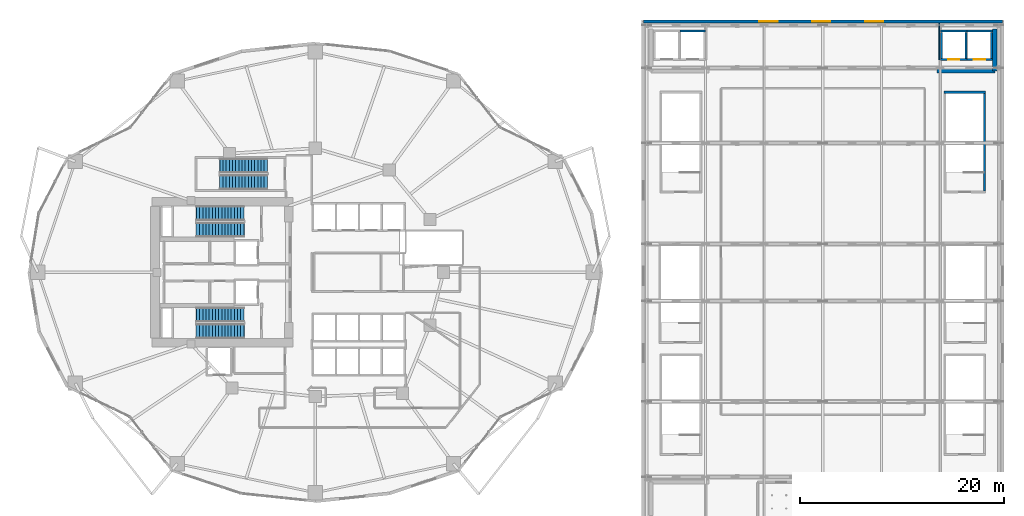
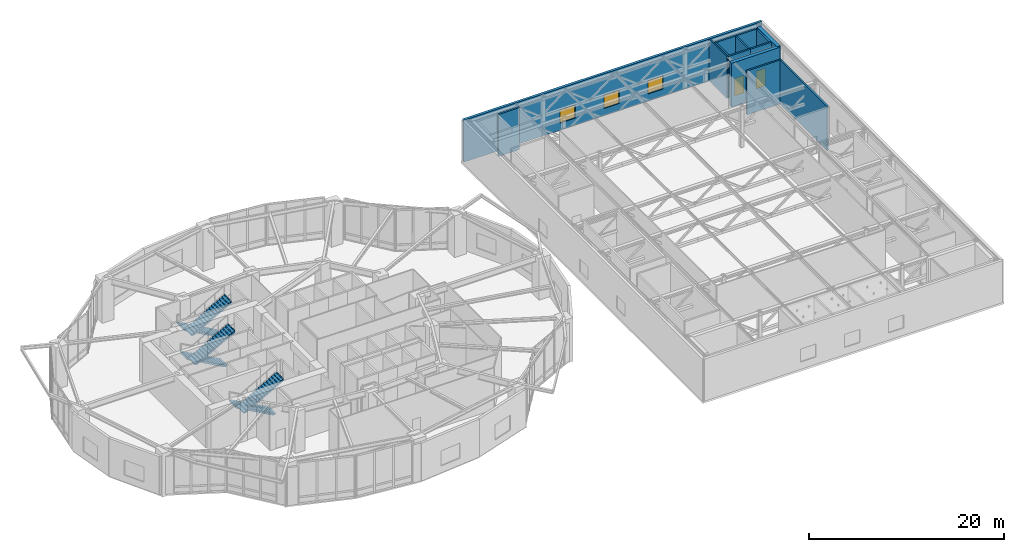
# One storey, part 26 of 29: 14 walls, 6 stair flights, 3 windows, 2 doors, 5 openings, 3 elements without a shape of their own.
"""IFC4 building model written with IfcOpenShell, lengths in metres."""

from ifc_helpers import new_model, si_unit, direction, frame, frame_2d, origin, place, context, subcontext, project, spatial, polyline, rectangle, outline, extrude, material, layer, layer_set, type_object, element, fill, aggregate, save


model = new_model("IFC4")

# Units and contexts
model_context = context("Model", 3, precision=1e-05, world=origin(), true_north=direction((0.0, 1.0)))
body_context = subcontext(model_context, "Body", "Model", "MODEL_VIEW")
ifc_project = project(units=[si_unit("LENGTHUNIT", "METRE"), si_unit("AREAUNIT", "SQUARE_METRE"), si_unit("VOLUMEUNIT", "CUBIC_METRE"), si_unit("PLANEANGLEUNIT", "RADIAN"), si_unit("MASSUNIT", "GRAM", prefix="KILO")], contexts=[model_context])

# Site, building, storey
site_placement = place(None, origin())
site = spatial("IfcSite", under=ifc_project, at=site_placement, CompositionType="ELEMENT")
building_placement = place(site_placement, origin())
building = spatial("IfcBuilding", under=site, at=building_placement, Name="Kolvaren Gate Tower and Convention Centre", CompositionType="ELEMENT")
storey_placement = place(building_placement, frame((0.0, 0.0, 21.0)))
storey = spatial("IfcBuildingStorey", under=building, at=storey_placement, Name="L04", CompositionType="ELEMENT", Elevation=21.0)

# Walls
ifc_material_1 = material(Name="Fire-Rated Acoustic Gypsum Stud Partition", Category="gypsum")
ifc_layer_1 = layer(ifc_material_1, 0.1201171875)
ifc_layer_set_1 = layer_set([ifc_layer_1], Name="Fire-Rated Acoustic Gypsum Stud Partition")
wall_type_1 = type_object("IfcWallType", Name="ARCH-WL-PART-120", PredefinedType="PARTITIONING", material=ifc_layer_set_1)
wall_1_placement = place(storey_placement, frame((91.449951171875, 47.89990234375, 0.0), z_axis=(0.0, 0.0, 1.0), x_axis=(0.0, 1.0, 0.0)))
element("IfcWall", 1, at=wall_1_placement, inside=storey, type_object=wall_type_1, Name="Interior Partition WL-L04-INT-050", PredefinedType="PARTITIONING", context=body_context, shape_type="SweptSolid", body=[
    extrude(rectangle(XDim=3.59814453125, YDim=0.1201171875, at=frame_2d((1.799072265625, 0.0))), origin(), (0.0, 0.0, 1.0), 5.25),
])
ifc_material_2 = material(Name="Autoclaved Aerated Masonry Blockwork Class 4 (4.0 MPa)", Category="masonry")
ifc_layer_2 = layer(ifc_material_2, 0.199951171875)
ifc_layer_set_2 = layer_set([ifc_layer_2], Name="Autoclaved Aerated Masonry Blockwork Class 4 (4.0 MPa)")
wall_type_2 = type_object("IfcWallType", Name="ARCH-WL-SHAFT-200", PredefinedType="SOLIDWALL", material=ifc_layer_set_2)
wall_2_placement = place(storey_placement, frame((65.949951171875, 50.699951171875, 0.0), z_axis=(0.0, 0.0, 1.0), x_axis=(1.0, 0.0, 0.0)))
element("IfcWall", 2, at=wall_2_placement, inside=storey, type_object=wall_type_2, Name="Elevator CL-02 L04 Fire Shaft Wall N", PredefinedType="SOLIDWALL", context=body_context, shape_type="SweptSolid", body=[
    extrude(rectangle(XDim=2.5, YDim=0.199951171875, at=frame_2d((1.25, 0.0))), origin(), (0.0, 0.0, 1.0), 5.25),
])
wall_3_placement = place(storey_placement, frame((91.550048828125, 50.699951171875, 0.0), z_axis=(0.0, 0.0, 1.0), x_axis=(1.0, 0.0, 0.0)))
element("IfcWall", 3, at=wall_3_placement, inside=storey, type_object=wall_type_2, Name="Elevator CL-03 L04 Fire Shaft Wall N", PredefinedType="SOLIDWALL", context=body_context, shape_type="SweptSolid", body=[
    extrude(rectangle(XDim=2.599853515625, YDim=0.199951171875, at=frame_2d((1.2998046875, 0.0))), origin(), (0.0, 0.0, 1.0), 5.25),
])

# Wall, opening, door
wall_4_placement = place(storey_placement, frame((91.550048828125, 47.89990234375, 0.0), z_axis=(0.0, 0.0, 1.0), x_axis=(1.0, 0.0, 0.0)))
wall_4 = element("IfcWall", 4, at=wall_4_placement, inside=storey, type_object=wall_type_2, Name="Elevator CL-03 L04 Fire Shaft Wall S", PredefinedType="SOLIDWALL", context=body_context, shape_type="SweptSolid", body=[
    extrude(rectangle(XDim=2.599853515625, YDim=0.199951171875, at=frame_2d((1.2998046875, 0.0))), origin(), (0.0, 0.0, 1.0), 5.25),
])
opening_1_placement = place(wall_4_placement, frame((0.75, 0.0, 0.0)))
opening_1 = element("IfcOpeningElement", 5, at=opening_1_placement, cuts=wall_4, Name="Opening LD", PredefinedType="OPENING", context=body_context, shape_type="SweptSolid", body=[
    extrude(rectangle(XDim=1.10009765625, YDim=2.199951171875, at=frame_2d((0.550048828125, 1.10009765625))), frame((0.0, 0.10986328125, 0.0), z_axis=(0.0, -1.0, 0.0), x_axis=(1.0, 0.0, 0.0)), (0.0, 0.0, 1.0), 0.219970703125),
])
ifc_material_3 = material(Name="Brushed Stainless Steel Grade 316L", Category="steel")
door_type = type_object("IfcDoorType", Name="ARCH-DR-LIFT-1100", OperationType="SLIDING_TO_LEFT", PredefinedType="DOOR", material=ifc_material_3)
door_1_placement = place(opening_1_placement, origin())
door_1 = element("IfcDoor", 6, at=door_1_placement, inside=storey, type_object=door_type, Name="Elevator CL-03 L04 Sliding Landing Door", OperationType="SLIDING_TO_LEFT", OverallHeight=2.199951171875, OverallWidth=1.10009765625, PredefinedType="DOOR", context=body_context, shape_type="SweptSolid", body=[
    extrude(rectangle(XDim=1.10009765625, YDim=2.199951171875, at=frame_2d((0.550048828125, 1.10009765625))), frame((0.0, 0.02490234375, 0.0), z_axis=(0.0, -1.0, 0.0), x_axis=(1.0, 0.0, 0.0)), (0.0, 0.0, 1.0), 0.050048828125),
])
fill(opening_1, door_1)

# Walls
for number, where, z_axis, x_axis, name in (
    (7, (91.64990234375, 48.010009765625, 0.0), (0.0, 0.0, 1.0), (0.0, 1.0, 0.0), "Elevator CL-03 L04 Fire Shaft Wall W"),
    (8, (94.050048828125, 48.010009765625, 0.0), (0.0, 0.0, 1.0), (0.0, 1.0, 0.0), "Elevator CL-03 L04 Fire Shaft Wall E"),
):
    element("IfcWall", number, at=place(storey_placement, frame(where, z_axis=z_axis, x_axis=x_axis)), inside=storey, type_object=wall_type_2, Name=name, PredefinedType="SOLIDWALL", context=body_context, shape_type="SweptSolid", body=[
        extrude(rectangle(XDim=2.580078125, YDim=0.199951171875, at=frame_2d((1.2900390625, 0.0))), origin(), (0.0, 0.0, 1.0), 5.25),
    ])
wall_5_placement = place(storey_placement, frame((94.14990234375, 50.699951171875, 0.0), z_axis=(0.0, 0.0, 1.0), x_axis=(1.0, 0.0, 0.0)))
element("IfcWall", 9, at=wall_5_placement, inside=storey, type_object=wall_type_2, Name="Elevator CL-04 L04 Fire Shaft Wall N", PredefinedType="SOLIDWALL", context=body_context, shape_type="SweptSolid", body=[
    extrude(rectangle(XDim=2.5, YDim=0.199951171875, at=frame_2d((1.25, 0.0))), origin(), (0.0, 0.0, 1.0), 5.25),
])

# Wall, opening, door
wall_6_placement = place(storey_placement, frame((94.14990234375, 47.89990234375, 0.0), z_axis=(0.0, 0.0, 1.0), x_axis=(1.0, 0.0, 0.0)))
wall_6 = element("IfcWall", 10, at=wall_6_placement, inside=storey, type_object=wall_type_2, Name="Elevator CL-04 L04 Fire Shaft Wall S", PredefinedType="SOLIDWALL", context=body_context, shape_type="SweptSolid", body=[
    extrude(rectangle(XDim=2.5, YDim=0.199951171875, at=frame_2d((1.25, 0.0))), origin(), (0.0, 0.0, 1.0), 5.25),
])
opening_2_placement = place(wall_6_placement, frame((0.699951171875, 0.0, 0.0)))
opening_2 = element("IfcOpeningElement", 11, at=opening_2_placement, cuts=wall_6, Name="Opening LD", PredefinedType="OPENING", context=body_context, shape_type="SweptSolid", body=[
    extrude(rectangle(XDim=1.10009765625, YDim=2.199951171875, at=frame_2d((0.550048828125, 1.10009765625))), frame((0.0, 0.10986328125, 0.0), z_axis=(0.0, -1.0, 0.0), x_axis=(1.0, 0.0, 0.0)), (0.0, 0.0, 1.0), 0.219970703125),
])
door_2_placement = place(opening_2_placement, origin())
door_2 = element("IfcDoor", 12, at=door_2_placement, inside=storey, type_object=door_type, Name="Elevator CL-04 L04 Sliding Landing Door", OperationType="SLIDING_TO_LEFT", OverallHeight=2.199951171875, OverallWidth=1.10009765625, PredefinedType="DOOR", context=body_context, shape_type="SweptSolid", body=[
    extrude(rectangle(XDim=1.10009765625, YDim=2.199951171875, at=frame_2d((0.550048828125, 1.10009765625))), frame((0.0, 0.02490234375, 0.0), z_axis=(0.0, -1.0, 0.0), x_axis=(1.0, 0.0, 0.0)), (0.0, 0.0, 1.0), 0.050048828125),
])
fill(opening_2, door_2)

# Wall
wall_7_placement = place(storey_placement, frame((96.550048828125, 48.010009765625, 0.0), z_axis=(0.0, 0.0, 1.0), x_axis=(0.0, 1.0, 0.0)))
element("IfcWall", 13, at=wall_7_placement, inside=storey, type_object=wall_type_2, Name="Elevator CL-04 L04 Fire Shaft Wall E", PredefinedType="SOLIDWALL", context=body_context, shape_type="SweptSolid", body=[
    extrude(rectangle(XDim=2.580078125, YDim=0.199951171875, at=frame_2d((1.2900390625, 0.0))), origin(), (0.0, 0.0, 1.0), 5.25),
])

# Wall, openings, windows
ifc_material_4 = material(Name="Piedmont Cream Honed Limestone Cladding", Category="masonry")
ifc_layer_3 = layer(ifc_material_4, 0.300048828125)
ifc_layer_set_3 = layer_set([ifc_layer_3], Name="Piedmont Cream Honed Limestone Cladding")
wall_type_3 = type_object("IfcWallType", Name="ARCH-WL-STONE-300", PredefinedType="SOLIDWALL", material=ifc_layer_set_3)
wall_8_placement = place(storey_placement, frame((62.35009765625, 51.64990234375, 0.0), z_axis=(0.0, 0.0, 1.0), x_axis=(1.0, 0.0, 0.0)))
wall_8 = element("IfcWall", 14, at=wall_8_placement, inside=storey, type_object=wall_type_3, Name="Convention Centre L04 N Stone Facade Wall", PredefinedType="SOLIDWALL", context=body_context, shape_type="SweptSolid", body=[
    extrude(rectangle(XDim=35.2998046875, YDim=0.300048828125, at=frame_2d((17.64990234375, 0.0))), origin(), (0.0, 0.0, 1.0), 5.25),
])
opening_3_placement = place(wall_8_placement, frame((11.39990234375, 0.0, 0.89990234375)))
opening_3 = element("IfcOpeningElement", 15, at=opening_3_placement, cuts=wall_8, Name="Opening W-05", PredefinedType="OPENING", context=body_context, shape_type="SweptSolid", body=[
    extrude(rectangle(XDim=1.800048828125, YDim=1.64990234375, at=frame_2d((0.89990234375, 0.824951171875))), frame((0.0, 0.159912109375, 0.0), z_axis=(0.0, -1.0, 0.0), x_axis=(1.0, 0.0, 0.0)), (0.0, 0.0, 1.0), 0.320068359375),
])
opening_4_placement = place(wall_8_placement, frame((16.60009765625, 0.0, 0.89990234375)))
opening_4 = element("IfcOpeningElement", 16, at=opening_4_placement, cuts=wall_8, Name="Opening W-05", PredefinedType="OPENING", context=body_context, shape_type="SweptSolid", body=[
    extrude(rectangle(XDim=1.800048828125, YDim=1.64990234375, at=frame_2d((0.89990234375, 0.824951171875))), frame((0.0, 0.159912109375, 0.0), z_axis=(0.0, -1.0, 0.0), x_axis=(1.0, 0.0, 0.0)), (0.0, 0.0, 1.0), 0.320068359375),
])
opening_5_placement = place(wall_8_placement, frame((21.800048828125, 0.0, 0.89990234375)))
opening_5 = element("IfcOpeningElement", 17, at=opening_5_placement, cuts=wall_8, Name="Opening W-05", PredefinedType="OPENING", context=body_context, shape_type="SweptSolid", body=[
    extrude(rectangle(XDim=1.800048828125, YDim=1.64990234375, at=frame_2d((0.89990234375, 0.824951171875))), frame((0.0, 0.159912109375, 0.0), z_axis=(0.0, -1.0, 0.0), x_axis=(1.0, 0.0, 0.0)), (0.0, 0.0, 1.0), 0.320068359375),
])
ifc_material_5 = material(Name="Low-E Triple Insulated Glazing Unit 44 mm", Category="glass")
window_type = type_object("IfcWindowType", Name="ARCH-WN-CONV-1800", PartitioningType="SINGLE_PANEL", PredefinedType="WINDOW", material=ifc_material_5)
window_1_placement = place(opening_3_placement, origin())
window_1 = element("IfcWindow", 18, at=window_1_placement, inside=storey, type_object=window_type, Name="Convention L04 N Clerestory Window CW-1", OverallHeight=1.64990234375, OverallWidth=1.800048828125, PartitioningType="SINGLE_PANEL", PredefinedType="WINDOW", context=body_context, shape_type="SweptSolid", body=[
    extrude(rectangle(XDim=1.800048828125, YDim=1.64990234375, at=frame_2d((0.89990234375, 0.824951171875))), frame((0.0, 0.030029296875, 0.0), z_axis=(0.0, -1.0, 0.0), x_axis=(1.0, 0.0, 0.0)), (0.0, 0.0, 1.0), 0.06005859375),
])
fill(opening_3, window_1)
window_2_placement = place(opening_4_placement, origin())
window_2 = element("IfcWindow", 19, at=window_2_placement, inside=storey, type_object=window_type, Name="Convention L04 N Clerestory Window CW-2", OverallHeight=1.64990234375, OverallWidth=1.800048828125, PartitioningType="SINGLE_PANEL", PredefinedType="WINDOW", context=body_context, shape_type="SweptSolid", body=[
    extrude(rectangle(XDim=1.800048828125, YDim=1.64990234375, at=frame_2d((0.89990234375, 0.824951171875))), frame((0.0, 0.030029296875, 0.0), z_axis=(0.0, -1.0, 0.0), x_axis=(1.0, 0.0, 0.0)), (0.0, 0.0, 1.0), 0.06005859375),
])
fill(opening_4, window_2)
window_3_placement = place(opening_5_placement, origin())
window_3 = element("IfcWindow", 20, at=window_3_placement, inside=storey, type_object=window_type, Name="Convention L04 N Clerestory Window CW-3", OverallHeight=1.64990234375, OverallWidth=1.800048828125, PartitioningType="SINGLE_PANEL", PredefinedType="WINDOW", context=body_context, shape_type="SweptSolid", body=[
    extrude(rectangle(XDim=1.800048828125, YDim=1.64990234375, at=frame_2d((0.89990234375, 0.824951171875))), frame((0.0, 0.030029296875, 0.0), z_axis=(0.0, -1.0, 0.0), x_axis=(1.0, 0.0, 0.0)), (0.0, 0.0, 1.0), 0.06005859375),
])
fill(opening_5, window_3)

# Walls
ifc_material_6 = material(Name="Concrete C50/60", Category="concrete")
ifc_layer_4 = layer(ifc_material_6, 0.419921875)
ifc_layer_set_4 = layer_set([ifc_layer_4], Name="Concrete C50/60")
wall_type_4 = type_object("IfcWallType", Name="STR-WL-CONV-420", PredefinedType="SHEAR", material=ifc_layer_set_4)
wall_9_placement = place(storey_placement, frame((96.89990234375, 46.800048828125, -0.239990234375), z_axis=(0.0, 0.0, 1.0), x_axis=(0.0, 1.0, 0.0)))
element("IfcWall", 21, at=wall_9_placement, inside=storey, type_object=wall_type_4, Name="Convention L04 Shear Core Wall CCNE-E", PredefinedType="SHEAR", context=body_context, shape_type="SweptSolid", body=[
    extrude(rectangle(XDim=4.099853515625, YDim=0.419921875, at=frame_2d((2.0498046875, 0.0))), origin(), (0.0, 0.0, 1.0), 5.489990234375),
])
wall_10_placement = place(storey_placement, frame((91.199951171875, 46.800048828125, -0.239990234375), z_axis=(0.0, 0.0, 1.0), x_axis=(1.0, 0.0, 0.0)))
element("IfcWall", 22, at=wall_10_placement, inside=storey, type_object=wall_type_4, Name="Convention L04 Shear Core Wall CCNE-S", PredefinedType="SHEAR", context=body_context, shape_type="SweptSolid", body=[
    extrude(rectangle(XDim=5.699951171875, YDim=0.419921875, at=frame_2d((2.85009765625, 0.0))), origin(), (0.0, 0.0, 1.0), 5.489990234375),
])
ifc_layer_5 = layer(ifc_material_6, 0.199951171875)
ifc_layer_set_5 = layer_set([ifc_layer_5], Name="Concrete C50/60")
wall_type_5 = type_object("IfcWallType", Name="STR-WL-SHAFT-200", PredefinedType="SHEAR", material=ifc_layer_set_5)
wall_11_placement = place(storey_placement, frame((91.89990234375, 44.699951171875, -0.239990234375), z_axis=(0.0, 0.0, 1.0), x_axis=(1.0, 0.0, 0.0)))
element("IfcWall", 23, at=wall_11_placement, inside=storey, type_object=wall_type_5, Name="Convention NE Exit Stair ST-C3 L04 Structural Shear Enclosure Wall FAR", PredefinedType="SHEAR", context=body_context, shape_type="SweptSolid", body=[
    extrude(rectangle(XDim=4.10009765625, YDim=0.199951171875, at=frame_2d((2.050048828125, 0.0))), origin(), (0.0, 0.0, 1.0), 5.489990234375),
])
wall_12_placement = place(storey_placement, frame((95.89990234375, 35.001953125, -0.239990234375), z_axis=(0.0, 0.0, 1.0), x_axis=(0.0, 1.0, 0.0)))
element("IfcWall", 24, at=wall_12_placement, inside=storey, type_object=wall_type_5, Name="Convention NE Exit Stair ST-C3 L04 Structural Shear Enclosure Wall EAST", PredefinedType="SHEAR", context=body_context, shape_type="SweptSolid", body=[
    extrude(rectangle(XDim=9.595947265625, YDim=0.199951171875, at=frame_2d((4.7978515625, 0.0))), origin(), (0.0, 0.0, 1.0), 5.489990234375),
])

# Stair, stair flights
stair_type = type_object("IfcStairType", Name="STR-STAIR-CORE", PredefinedType="HALF_TURN_STAIR", material=ifc_material_6)
stair_1_placement = place(storey_placement, origin())
stair_1 = element("IfcStair", 25, at=stair_1_placement, inside=storey, type_object=stair_type, Name="L04 Tower North Exit Stair ST-T1", PredefinedType="HALF_TURN_STAIR")
stair_flight_type = type_object("IfcStairFlightType", Name="STR-SFL-1420", PredefinedType="STRAIGHT", material=ifc_material_6)
stair_flight_1_placement = place(storey_placement, frame((23.10009765625, 32.7900390625, 0.0), z_axis=(0.0, 0.0, 1.0), x_axis=(-1.0, 0.0, 0.0)))
stair_flight_1 = element("IfcStairFlight", 26, at=stair_flight_1_placement, type_object=stair_flight_type, Name="ST-T1 flight 1", NumberOfRisers=16, NumberOfTreads=15, PredefinedType="STRAIGHT", RiserHeight=0.171875, TreadLength=0.31, context=body_context, shape_type="SweptSolid", body=[
    extrude(outline(polyline([(-0.034912109375, 0.0), (-0.034912109375, 0.171875), (0.31005859375, 0.171875), (0.31005859375, 0.34375), (0.6201171875, 0.34375), (0.6201171875, 0.515625), (0.929931640625, 0.515625), (0.929931640625, 0.6875), (1.239990234375, 0.6875), (1.239990234375, 0.859375), (1.550048828125, 0.859375), (1.550048828125, 1.03125), (1.860107421875, 1.03125), (1.860107421875, 1.203125), (2.169921875, 1.203125), (2.169921875, 1.375), (2.47998046875, 1.375), (2.47998046875, 1.546875), (2.7900390625, 1.546875), (2.7900390625, 1.71875), (3.10009765625, 1.71875), (3.10009765625, 1.890625), (3.409912109375, 1.890625), (3.409912109375, 2.0625), (3.719970703125, 2.0625), (3.719970703125, 2.234375), (4.030029296875, 2.234375), (4.030029296875, 2.40625), (4.340087890625, 2.40625), (4.340087890625, 2.578125), (4.64990234375, 2.578125), (4.64990234375, 2.75), (4.695068359375, 2.75), (4.695068359375, 2.590087890625), (4.64990234375, 2.40673828125), (0.30908203125, 0.0), (-0.034912109375, 0.0)])), frame((0.0, 0.7099609375, 0.0), z_axis=(0.0, -1.0, 0.0), x_axis=(1.0, 0.0, 0.0)), (0.0, 0.0, 1.0), 1.419921875),
])
stair_flight_2_placement = place(storey_placement, frame((18.449951171875, 31.169921875, 2.75), z_axis=(0.0, 0.0, 1.0), x_axis=(1.0, 0.0, 0.0)))
stair_flight_2 = element("IfcStairFlight", 27, at=stair_flight_2_placement, type_object=stair_flight_type, Name="ST-T1 flight 2", NumberOfRisers=16, NumberOfTreads=15, PredefinedType="STRAIGHT", RiserHeight=0.171875, TreadLength=0.31, context=body_context, shape_type="SweptSolid", body=[
    extrude(outline(polyline([(-0.034912109375, 0.0), (-0.034912109375, 0.171875), (0.31005859375, 0.171875), (0.31005859375, 0.34375), (0.6201171875, 0.34375), (0.6201171875, 0.515625), (0.929931640625, 0.515625), (0.929931640625, 0.6875), (1.239990234375, 0.6875), (1.239990234375, 0.859375), (1.550048828125, 0.859375), (1.550048828125, 1.03125), (1.860107421875, 1.03125), (1.860107421875, 1.203125), (2.169921875, 1.203125), (2.169921875, 1.375), (2.47998046875, 1.375), (2.47998046875, 1.546875), (2.7900390625, 1.546875), (2.7900390625, 1.71875), (3.10009765625, 1.71875), (3.10009765625, 1.890625), (3.409912109375, 1.890625), (3.409912109375, 2.0625), (3.719970703125, 2.0625), (3.719970703125, 2.234375), (4.030029296875, 2.234375), (4.030029296875, 2.40625), (4.340087890625, 2.40625), (4.340087890625, 2.578125), (4.64990234375, 2.578125), (4.64990234375, 2.75), (4.695068359375, 2.75), (4.695068359375, 2.590087890625), (4.64990234375, 2.40673828125), (0.30908203125, 0.0), (-0.034912109375, 0.0)])), frame((0.0, 0.7099609375, 0.0), z_axis=(0.0, -1.0, 0.0), x_axis=(1.0, 0.0, 0.0)), (0.0, 0.0, 1.0), 1.419921875),
])
aggregate(stair_1, [stair_flight_1, stair_flight_2])

stair_2_placement = place(storey_placement, origin())
stair_2 = element("IfcStair", 28, at=stair_2_placement, inside=storey, type_object=stair_type, Name="L04 Tower South Exit Stair ST-T2", PredefinedType="HALF_TURN_STAIR")
stair_flight_3_placement = place(storey_placement, frame((23.10009765625, 22.830078125, 0.0), z_axis=(0.0, 0.0, 1.0), x_axis=(-1.0, 0.0, 0.0)))
stair_flight_3 = element("IfcStairFlight", 29, at=stair_flight_3_placement, type_object=stair_flight_type, Name="ST-T2 flight 1", NumberOfRisers=16, NumberOfTreads=15, PredefinedType="STRAIGHT", RiserHeight=0.171875, TreadLength=0.31, context=body_context, shape_type="SweptSolid", body=[
    extrude(outline(polyline([(-0.034912109375, 0.0), (-0.034912109375, 0.171875), (0.31005859375, 0.171875), (0.31005859375, 0.34375), (0.6201171875, 0.34375), (0.6201171875, 0.515625), (0.929931640625, 0.515625), (0.929931640625, 0.6875), (1.239990234375, 0.6875), (1.239990234375, 0.859375), (1.550048828125, 0.859375), (1.550048828125, 1.03125), (1.860107421875, 1.03125), (1.860107421875, 1.203125), (2.169921875, 1.203125), (2.169921875, 1.375), (2.47998046875, 1.375), (2.47998046875, 1.546875), (2.7900390625, 1.546875), (2.7900390625, 1.71875), (3.10009765625, 1.71875), (3.10009765625, 1.890625), (3.409912109375, 1.890625), (3.409912109375, 2.0625), (3.719970703125, 2.0625), (3.719970703125, 2.234375), (4.030029296875, 2.234375), (4.030029296875, 2.40625), (4.340087890625, 2.40625), (4.340087890625, 2.578125), (4.64990234375, 2.578125), (4.64990234375, 2.75), (4.695068359375, 2.75), (4.695068359375, 2.590087890625), (4.64990234375, 2.40673828125), (0.30908203125, 0.0), (-0.034912109375, 0.0)])), frame((0.0, 0.7099609375, 0.0), z_axis=(0.0, -1.0, 0.0), x_axis=(1.0, 0.0, 0.0)), (0.0, 0.0, 1.0), 1.419921875),
])
stair_flight_4_placement = place(storey_placement, frame((18.449951171875, 21.2099609375, 2.75), z_axis=(0.0, 0.0, 1.0), x_axis=(1.0, 0.0, 0.0)))
stair_flight_4 = element("IfcStairFlight", 30, at=stair_flight_4_placement, type_object=stair_flight_type, Name="ST-T2 flight 2", NumberOfRisers=16, NumberOfTreads=15, PredefinedType="STRAIGHT", RiserHeight=0.171875, TreadLength=0.31, context=body_context, shape_type="SweptSolid", body=[
    extrude(outline(polyline([(-0.034912109375, 0.0), (-0.034912109375, 0.171875), (0.31005859375, 0.171875), (0.31005859375, 0.34375), (0.6201171875, 0.34375), (0.6201171875, 0.515625), (0.929931640625, 0.515625), (0.929931640625, 0.6875), (1.239990234375, 0.6875), (1.239990234375, 0.859375), (1.550048828125, 0.859375), (1.550048828125, 1.03125), (1.860107421875, 1.03125), (1.860107421875, 1.203125), (2.169921875, 1.203125), (2.169921875, 1.375), (2.47998046875, 1.375), (2.47998046875, 1.546875), (2.7900390625, 1.546875), (2.7900390625, 1.71875), (3.10009765625, 1.71875), (3.10009765625, 1.890625), (3.409912109375, 1.890625), (3.409912109375, 2.0625), (3.719970703125, 2.0625), (3.719970703125, 2.234375), (4.030029296875, 2.234375), (4.030029296875, 2.40625), (4.340087890625, 2.40625), (4.340087890625, 2.578125), (4.64990234375, 2.578125), (4.64990234375, 2.75), (4.695068359375, 2.75), (4.695068359375, 2.590087890625), (4.64990234375, 2.40673828125), (0.30908203125, 0.0), (-0.034912109375, 0.0)])), frame((0.0, 0.7099609375, 0.0), z_axis=(0.0, -1.0, 0.0), x_axis=(1.0, 0.0, 0.0)), (0.0, 0.0, 1.0), 1.419921875),
])
aggregate(stair_2, [stair_flight_3, stair_flight_4])

stair_3_placement = place(storey_placement, origin())
stair_3 = element("IfcStair", 31, at=stair_3_placement, inside=storey, type_object=stair_type, Name="L04 Tower Mid-Zone Exit Stair ST-T3", PredefinedType="HALF_TURN_STAIR")
stair_flight_5_placement = place(storey_placement, frame((25.39990234375, 37.489990234375, 0.0), z_axis=(0.0, 0.0, 1.0), x_axis=(-1.0, 0.0, 0.0)))
stair_flight_5 = element("IfcStairFlight", 32, at=stair_flight_5_placement, type_object=stair_flight_type, Name="ST-T3 flight 1", NumberOfRisers=16, NumberOfTreads=15, PredefinedType="STRAIGHT", RiserHeight=0.171875, TreadLength=0.31, context=body_context, shape_type="SweptSolid", body=[
    extrude(outline(polyline([(-0.034912109375, 0.0), (-0.034912109375, 0.171875), (0.31005859375, 0.171875), (0.31005859375, 0.34375), (0.6201171875, 0.34375), (0.6201171875, 0.515625), (0.929931640625, 0.515625), (0.929931640625, 0.6875), (1.239990234375, 0.6875), (1.239990234375, 0.859375), (1.550048828125, 0.859375), (1.550048828125, 1.03125), (1.860107421875, 1.03125), (1.860107421875, 1.203125), (2.169921875, 1.203125), (2.169921875, 1.375), (2.47998046875, 1.375), (2.47998046875, 1.546875), (2.7900390625, 1.546875), (2.7900390625, 1.71875), (3.10009765625, 1.71875), (3.10009765625, 1.890625), (3.409912109375, 1.890625), (3.409912109375, 2.0625), (3.719970703125, 2.0625), (3.719970703125, 2.234375), (4.030029296875, 2.234375), (4.030029296875, 2.40625), (4.340087890625, 2.40625), (4.340087890625, 2.578125), (4.64990234375, 2.578125), (4.64990234375, 2.75), (4.695068359375, 2.75), (4.695068359375, 2.590087890625), (4.64990234375, 2.40673828125), (0.30908203125, 0.0), (-0.034912109375, 0.0)])), frame((0.0, 0.7099609375, 0.0), z_axis=(0.0, -1.0, 0.0), x_axis=(1.0, 0.0, 0.0)), (0.0, 0.0, 1.0), 1.419921875),
])
stair_flight_6_placement = place(storey_placement, frame((20.75, 35.8701171875, 2.75), z_axis=(0.0, 0.0, 1.0), x_axis=(1.0, 0.0, 0.0)))
stair_flight_6 = element("IfcStairFlight", 33, at=stair_flight_6_placement, type_object=stair_flight_type, Name="ST-T3 flight 2", NumberOfRisers=16, NumberOfTreads=15, PredefinedType="STRAIGHT", RiserHeight=0.171875, TreadLength=0.31, context=body_context, shape_type="SweptSolid", body=[
    extrude(outline(polyline([(-0.034912109375, 0.0), (-0.034912109375, 0.171875), (0.31005859375, 0.171875), (0.31005859375, 0.34375), (0.6201171875, 0.34375), (0.6201171875, 0.515625), (0.929931640625, 0.515625), (0.929931640625, 0.6875), (1.239990234375, 0.6875), (1.239990234375, 0.859375), (1.550048828125, 0.859375), (1.550048828125, 1.03125), (1.860107421875, 1.03125), (1.860107421875, 1.203125), (2.169921875, 1.203125), (2.169921875, 1.375), (2.47998046875, 1.375), (2.47998046875, 1.546875), (2.7900390625, 1.546875), (2.7900390625, 1.71875), (3.10009765625, 1.71875), (3.10009765625, 1.890625), (3.409912109375, 1.890625), (3.409912109375, 2.0625), (3.719970703125, 2.0625), (3.719970703125, 2.234375), (4.030029296875, 2.234375), (4.030029296875, 2.40625), (4.340087890625, 2.40625), (4.340087890625, 2.578125), (4.64990234375, 2.578125), (4.64990234375, 2.75), (4.695068359375, 2.75), (4.695068359375, 2.590087890625), (4.64990234375, 2.40673828125), (0.30908203125, 0.0), (-0.034912109375, 0.0)])), frame((0.0, 0.7099609375, 0.0), z_axis=(0.0, -1.0, 0.0), x_axis=(1.0, 0.0, 0.0)), (0.0, 0.0, 1.0), 1.419921875),
])
aggregate(stair_3, [stair_flight_5, stair_flight_6])

save(model, "model.ifc")
